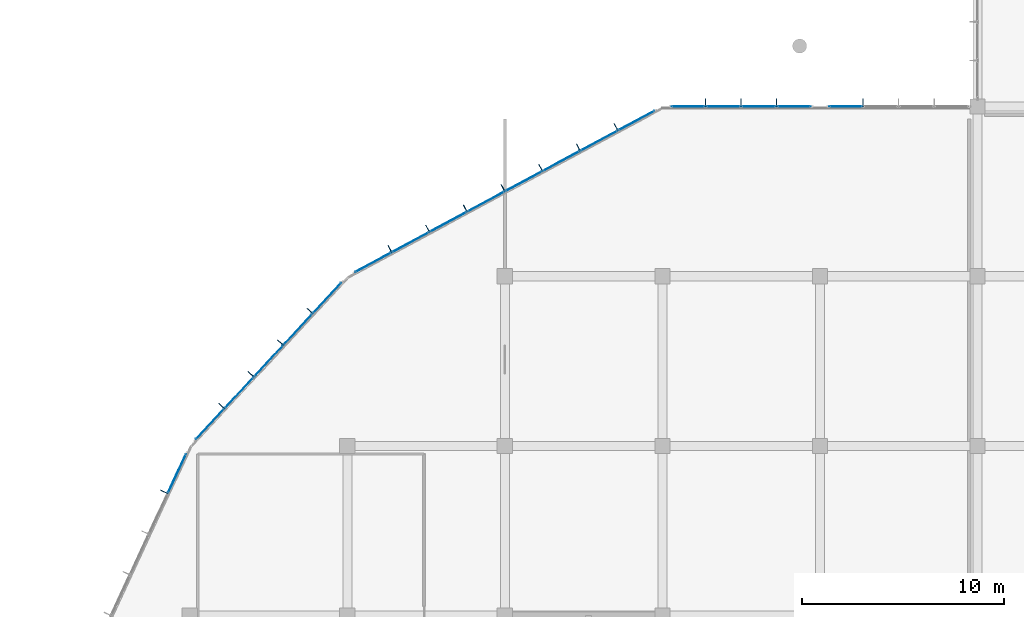
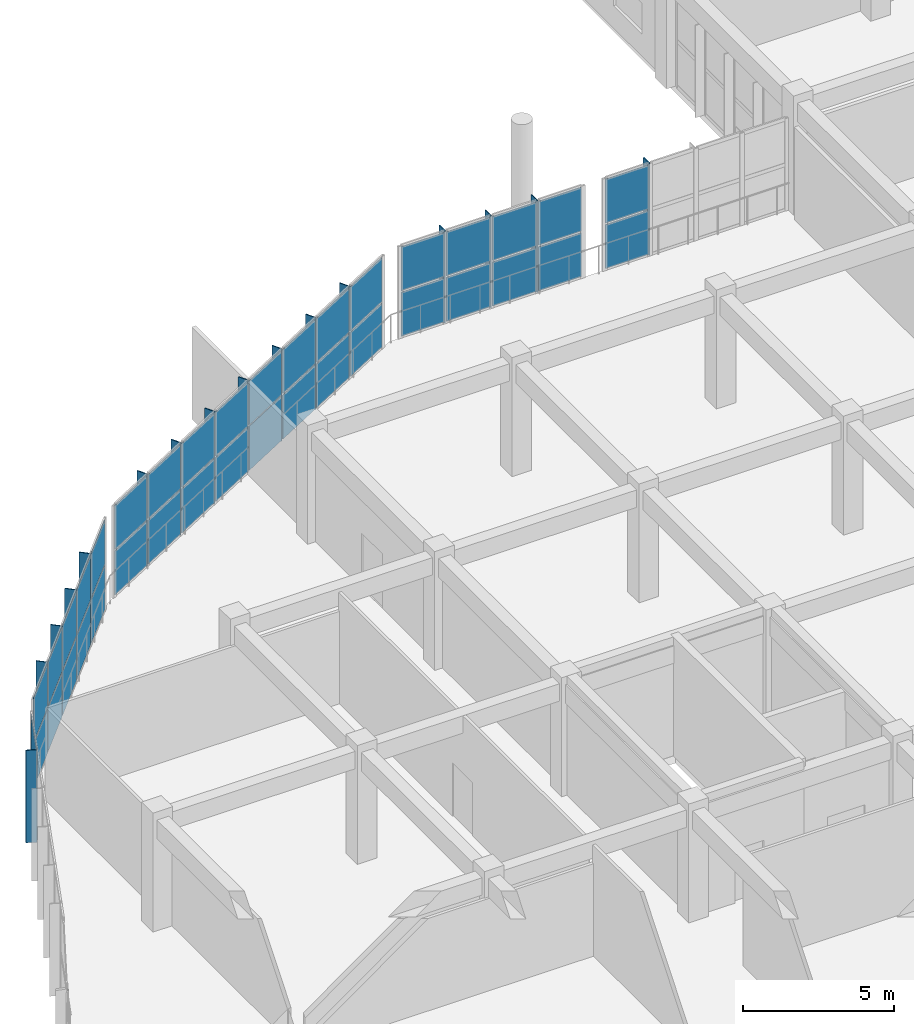
# One storey, part 133 of 167: 54 plates, 5 elements without a shape of their own.
"""IFC4 building model written with IfcOpenShell, lengths in metres."""

from ifc_helpers import new_model, si_unit, direction, frame, origin, origin_2d, place, context, subcontext, project, spatial, polyline, rectangle, outline, extrude, material, layer, layer_set, type_object, element, aggregate, save


model = new_model("IFC4")

# Units and contexts
model_context = context("Model", 3, precision=1e-05, world=origin(), true_north=direction((0.0, 1.0)))
body_context = subcontext(model_context, "Body", "Model", "MODEL_VIEW")
ifc_project = project(units=[si_unit("LENGTHUNIT", "METRE"), si_unit("AREAUNIT", "SQUARE_METRE"), si_unit("VOLUMEUNIT", "CUBIC_METRE"), si_unit("PLANEANGLEUNIT", "RADIAN"), si_unit("MASSUNIT", "GRAM", prefix="KILO")], contexts=[model_context])

# Site, building, storey
site_placement = place(None, origin())
site = spatial("IfcSite", under=ifc_project, at=site_placement, CompositionType="ELEMENT")
building_placement = place(site_placement, origin())
building = spatial("IfcBuilding", under=site, at=building_placement, Name="Zizhar Promenade General Hospital", CompositionType="ELEMENT")
storey_placement = place(building_placement, frame((0.0, 0.0, 9.60009765625)))
storey = spatial("IfcBuildingStorey", under=building, at=storey_placement, Name="L02", CompositionType="ELEMENT", Elevation=9.60009765625)

# Curtain wall, plates
ifc_material_1 = material(Name="Anodised aluminium 6063-T6 and low-E glass", Category="aluminium")
ifc_layer_1 = layer(ifc_material_1, 0.159912109375)
ifc_layer_set_1 = layer_set([ifc_layer_1], Name="Anodised aluminium 6063-T6 and low-E glass")
curtain_wall_type = type_object("IfcCurtainWallType", Name="CW-DT-MOD2", PredefinedType="NOTDEFINED", material=ifc_layer_set_1)
curtain_wall_1_placement = place(storey_placement, origin())
curtain_wall_1 = element("IfcCurtainWall", 1, at=curtain_wall_1_placement, inside=storey, type_object=curtain_wall_type, Name="West Diagnostic Arm Glazed Curtain Wall L02-NW1", PredefinedType="NOTDEFINED")
ifc_material_2 = material(Name="Low-E solar-control glass", Category="glass")
ifc_layer_2 = layer(ifc_material_2, 0.031982421875)
ifc_layer_set_2 = layer_set([ifc_layer_2], Name="Low-E solar-control glass")
plate_type_1 = type_object("IfcPlateType", Name="CWP-GLZ-32", PredefinedType="CURTAIN_PANEL", material=ifc_layer_set_2)
plate_1_placement = place(storey_placement, frame((7.1640625, 65.830322265625, 0.06005859375), z_axis=(0.0, 0.0, 1.0), x_axis=(0.421114945486, 0.907007278189, 0.0)))
plate_1 = element("IfcPlate", 2, at=plate_1_placement, type_object=plate_type_1, Name="CW-08 panel 8.1", PredefinedType="CURTAIN_PANEL", context=body_context, shape_type="SweptSolid", body=[
    extrude(rectangle(XDim=2.100341796875, YDim=0.031982421875, at=origin_2d()), origin(), (0.0, 0.0, 1.0), 1.77490234375),
])
plate_2_placement = place(storey_placement, frame((7.1640625, 65.830322265625, 1.89501953125), z_axis=(0.0, 0.0, 1.0), x_axis=(0.421114945486, 0.907007278189, 0.0)))
plate_2 = element("IfcPlate", 3, at=plate_2_placement, type_object=plate_type_1, Name="CW-08 panel 8.2", PredefinedType="CURTAIN_PANEL", context=body_context, shape_type="SweptSolid", body=[
    extrude(rectangle(XDim=2.100341796875, YDim=0.031982421875, at=origin_2d()), origin(), (0.0, 0.0, 1.0), 1.77490234375),
])
aggregate(curtain_wall_1, [plate_1, plate_2])

curtain_wall_2_placement = place(storey_placement, origin())
curtain_wall_2 = element("IfcCurtainWall", 4, at=curtain_wall_2_placement, inside=storey, type_object=curtain_wall_type, Name="West Diagnostic Arm Glazed Curtain Wall L02-NW2", PredefinedType="NOTDEFINED")
plate_3_placement = place(storey_placement, frame((8.800537109375, 68.27734375, 0.06005859375), z_axis=(0.0, 0.0, 1.0), x_axis=(0.680451816108, 0.732792826081, 0.0)))
plate_3 = element("IfcPlate", 5, at=plate_3_placement, type_object=plate_type_1, Name="CW-08 panel 1.1", PredefinedType="CURTAIN_PANEL", context=body_context, shape_type="SweptSolid", body=[
    extrude(rectangle(XDim=2.0205078125, YDim=0.031982421875, at=origin_2d()), origin(), (0.0, 0.0, 1.0), 1.77490234375),
])
plate_4_placement = place(storey_placement, frame((8.800537109375, 68.27734375, 1.89501953125), z_axis=(0.0, 0.0, 1.0), x_axis=(0.680451816108, 0.732792826081, 0.0)))
plate_4 = element("IfcPlate", 6, at=plate_4_placement, type_object=plate_type_1, Name="CW-08 panel 1.2", PredefinedType="CURTAIN_PANEL", context=body_context, shape_type="SweptSolid", body=[
    extrude(rectangle(XDim=2.0205078125, YDim=0.031982421875, at=origin_2d()), origin(), (0.0, 0.0, 1.0), 1.77490234375),
])
plate_5_placement = place(storey_placement, frame((10.243408203125, 69.831298828125, 0.06005859375), z_axis=(0.0, 0.0, 1.0), x_axis=(0.680451816108, 0.732792826081, 0.0)))
plate_5 = element("IfcPlate", 7, at=plate_5_placement, type_object=plate_type_1, Name="CW-08 panel 2.1", PredefinedType="CURTAIN_PANEL", context=body_context, shape_type="SweptSolid", body=[
    extrude(rectangle(XDim=2.060546875, YDim=0.031982421875, at=origin_2d()), origin(), (0.0, 0.0, 1.0), 1.77490234375),
])
plate_6_placement = place(storey_placement, frame((10.243408203125, 69.831298828125, 1.89501953125), z_axis=(0.0, 0.0, 1.0), x_axis=(0.680451816108, 0.732792826081, 0.0)))
plate_6 = element("IfcPlate", 8, at=plate_6_placement, type_object=plate_type_1, Name="CW-08 panel 2.2", PredefinedType="CURTAIN_PANEL", context=body_context, shape_type="SweptSolid", body=[
    extrude(rectangle(XDim=2.060546875, YDim=0.031982421875, at=origin_2d()), origin(), (0.0, 0.0, 1.0), 1.77490234375),
])
plate_7_placement = place(storey_placement, frame((11.699951171875, 71.39990234375, 0.06005859375), z_axis=(0.0, 0.0, 1.0), x_axis=(0.680451816108, 0.732792826081, 0.0)))
plate_7 = element("IfcPlate", 9, at=plate_7_placement, type_object=plate_type_1, Name="CW-08 panel 3.1", PredefinedType="CURTAIN_PANEL", context=body_context, shape_type="SweptSolid", body=[
    extrude(rectangle(XDim=2.060546875, YDim=0.031982421875, at=origin_2d()), origin(), (0.0, 0.0, 1.0), 1.77490234375),
])
plate_8_placement = place(storey_placement, frame((11.699951171875, 71.39990234375, 1.89501953125), z_axis=(0.0, 0.0, 1.0), x_axis=(0.680451816108, 0.732792826081, 0.0)))
plate_8 = element("IfcPlate", 10, at=plate_8_placement, type_object=plate_type_1, Name="CW-08 panel 3.2", PredefinedType="CURTAIN_PANEL", context=body_context, shape_type="SweptSolid", body=[
    extrude(rectangle(XDim=2.060546875, YDim=0.031982421875, at=origin_2d()), origin(), (0.0, 0.0, 1.0), 1.77490234375),
])
plate_9_placement = place(storey_placement, frame((13.156494140625, 72.968505859375, 0.06005859375), z_axis=(0.0, 0.0, 1.0), x_axis=(0.680451816108, 0.732792826081, 0.0)))
plate_9 = element("IfcPlate", 11, at=plate_9_placement, type_object=plate_type_1, Name="CW-08 panel 4.1", PredefinedType="CURTAIN_PANEL", context=body_context, shape_type="SweptSolid", body=[
    extrude(rectangle(XDim=2.060546875, YDim=0.031982421875, at=origin_2d()), origin(), (0.0, 0.0, 1.0), 1.77490234375),
])
plate_10_placement = place(storey_placement, frame((13.156494140625, 72.968505859375, 1.89501953125), z_axis=(0.0, 0.0, 1.0), x_axis=(0.680451816108, 0.732792826081, 0.0)))
plate_10 = element("IfcPlate", 12, at=plate_10_placement, type_object=plate_type_1, Name="CW-08 panel 4.2", PredefinedType="CURTAIN_PANEL", context=body_context, shape_type="SweptSolid", body=[
    extrude(rectangle(XDim=2.060546875, YDim=0.031982421875, at=origin_2d()), origin(), (0.0, 0.0, 1.0), 1.77490234375),
])
plate_11_placement = place(storey_placement, frame((14.599609375, 74.5224609375, 0.06005859375), z_axis=(0.0, 0.0, 1.0), x_axis=(0.680451816108, 0.732792826081, 0.0)))
plate_11 = element("IfcPlate", 13, at=plate_11_placement, type_object=plate_type_1, Name="CW-08 panel 5.1", PredefinedType="CURTAIN_PANEL", context=body_context, shape_type="SweptSolid", body=[
    extrude(rectangle(XDim=2.0205078125, YDim=0.031982421875, at=origin_2d()), origin(), (0.0, 0.0, 1.0), 1.77490234375),
])
plate_12_placement = place(storey_placement, frame((14.599609375, 74.5224609375, 1.89501953125), z_axis=(0.0, 0.0, 1.0), x_axis=(0.680451816108, 0.732792826081, 0.0)))
plate_12 = element("IfcPlate", 14, at=plate_12_placement, type_object=plate_type_1, Name="CW-08 panel 5.2", PredefinedType="CURTAIN_PANEL", context=body_context, shape_type="SweptSolid", body=[
    extrude(rectangle(XDim=2.0205078125, YDim=0.031982421875, at=origin_2d()), origin(), (0.0, 0.0, 1.0), 1.77490234375),
])
aggregate(curtain_wall_2, [plate_3, plate_4, plate_5, plate_6, plate_7, plate_8, plate_9, plate_10, plate_11, plate_12])

curtain_wall_3_placement = place(storey_placement, origin())
curtain_wall_3 = element("IfcCurtainWall", 15, at=curtain_wall_3_placement, inside=storey, type_object=curtain_wall_type, Name="West Diagnostic Arm Glazed Curtain Wall L02-NW3", PredefinedType="NOTDEFINED")
plate_13_placement = place(storey_placement, frame((16.885498046875, 76.292236328125, 0.06005859375), z_axis=(0.0, 0.0, 1.0), x_axis=(0.880472614749, 0.474097009774, 0.0)))
plate_13 = element("IfcPlate", 16, at=plate_13_placement, type_object=plate_type_1, Name="CW-08 panel 1.1", PredefinedType="CURTAIN_PANEL", context=body_context, shape_type="SweptSolid", body=[
    extrude(rectangle(XDim=1.999755859375, YDim=0.031982421875, at=origin_2d()), origin(), (0.0, 0.0, 1.0), 1.77490234375),
])
plate_14_placement = place(storey_placement, frame((16.885498046875, 76.292236328125, 1.89501953125), z_axis=(0.0, 0.0, 1.0), x_axis=(0.880472614749, 0.474097009774, 0.0)))
plate_14 = element("IfcPlate", 17, at=plate_14_placement, type_object=plate_type_1, Name="CW-08 panel 1.2", PredefinedType="CURTAIN_PANEL", context=body_context, shape_type="SweptSolid", body=[
    extrude(rectangle(XDim=1.999755859375, YDim=0.031982421875, at=origin_2d()), origin(), (0.0, 0.0, 1.0), 1.77490234375),
])
plate_15_placement = place(storey_placement, frame((18.734130859375, 77.28759765625, 0.06005859375), z_axis=(0.0, 0.0, 1.0), x_axis=(0.880472614749, 0.474097009774, 0.0)))
plate_15 = element("IfcPlate", 18, at=plate_15_placement, type_object=plate_type_1, Name="CW-08 panel 2.1", PredefinedType="CURTAIN_PANEL", context=body_context, shape_type="SweptSolid", body=[
    extrude(rectangle(XDim=2.039794921875, YDim=0.031982421875, at=origin_2d()), origin(), (0.0, 0.0, 1.0), 1.77490234375),
])
plate_16_placement = place(storey_placement, frame((18.734130859375, 77.28759765625, 1.89501953125), z_axis=(0.0, 0.0, 1.0), x_axis=(0.880472614749, 0.474097009774, 0.0)))
plate_16 = element("IfcPlate", 19, at=plate_16_placement, type_object=plate_type_1, Name="CW-08 panel 2.2", PredefinedType="CURTAIN_PANEL", context=body_context, shape_type="SweptSolid", body=[
    extrude(rectangle(XDim=2.039794921875, YDim=0.031982421875, at=origin_2d()), origin(), (0.0, 0.0, 1.0), 1.77490234375),
])
plate_17_placement = place(storey_placement, frame((20.6005859375, 78.29248046875, 0.06005859375), z_axis=(0.0, 0.0, 1.0), x_axis=(0.880472614749, 0.474097009774, 0.0)))
plate_17 = element("IfcPlate", 20, at=plate_17_placement, type_object=plate_type_1, Name="CW-08 panel 3.1", PredefinedType="CURTAIN_PANEL", context=body_context, shape_type="SweptSolid", body=[
    extrude(rectangle(XDim=2.039794921875, YDim=0.031982421875, at=origin_2d()), origin(), (0.0, 0.0, 1.0), 1.77490234375),
])
plate_18_placement = place(storey_placement, frame((20.6005859375, 78.29248046875, 1.89501953125), z_axis=(0.0, 0.0, 1.0), x_axis=(0.880472614749, 0.474097009774, 0.0)))
plate_18 = element("IfcPlate", 21, at=plate_18_placement, type_object=plate_type_1, Name="CW-08 panel 3.2", PredefinedType="CURTAIN_PANEL", context=body_context, shape_type="SweptSolid", body=[
    extrude(rectangle(XDim=2.039794921875, YDim=0.031982421875, at=origin_2d()), origin(), (0.0, 0.0, 1.0), 1.77490234375),
])
plate_19_placement = place(storey_placement, frame((22.466796875, 79.297607421875, 0.06005859375), z_axis=(0.0, 0.0, 1.0), x_axis=(0.880472614749, 0.474097009774, 0.0)))
plate_19 = element("IfcPlate", 22, at=plate_19_placement, type_object=plate_type_1, Name="CW-08 panel 4.1", PredefinedType="CURTAIN_PANEL", context=body_context, shape_type="SweptSolid", body=[
    extrude(rectangle(XDim=2.039794921875, YDim=0.031982421875, at=origin_2d()), origin(), (0.0, 0.0, 1.0), 1.77490234375),
])
plate_20_placement = place(storey_placement, frame((22.466796875, 79.297607421875, 1.89501953125), z_axis=(0.0, 0.0, 1.0), x_axis=(0.880472614749, 0.474097009774, 0.0)))
plate_20 = element("IfcPlate", 23, at=plate_20_placement, type_object=plate_type_1, Name="CW-08 panel 4.2", PredefinedType="CURTAIN_PANEL", context=body_context, shape_type="SweptSolid", body=[
    extrude(rectangle(XDim=2.039794921875, YDim=0.031982421875, at=origin_2d()), origin(), (0.0, 0.0, 1.0), 1.77490234375),
])
plate_21_placement = place(storey_placement, frame((24.333251953125, 80.302490234375, 0.06005859375), z_axis=(0.0, 0.0, 1.0), x_axis=(0.880472614749, 0.474097009774, 0.0)))
plate_21 = element("IfcPlate", 24, at=plate_21_placement, type_object=plate_type_1, Name="CW-08 panel 5.1", PredefinedType="CURTAIN_PANEL", context=body_context, shape_type="SweptSolid", body=[
    extrude(rectangle(XDim=2.039794921875, YDim=0.031982421875, at=origin_2d()), origin(), (0.0, 0.0, 1.0), 1.77490234375),
])
plate_22_placement = place(storey_placement, frame((24.333251953125, 80.302490234375, 1.89501953125), z_axis=(0.0, 0.0, 1.0), x_axis=(0.880472614749, 0.474097009774, 0.0)))
plate_22 = element("IfcPlate", 25, at=plate_22_placement, type_object=plate_type_1, Name="CW-08 panel 5.2", PredefinedType="CURTAIN_PANEL", context=body_context, shape_type="SweptSolid", body=[
    extrude(rectangle(XDim=2.039794921875, YDim=0.031982421875, at=origin_2d()), origin(), (0.0, 0.0, 1.0), 1.77490234375),
])
plate_23_placement = place(storey_placement, frame((26.199462890625, 81.307373046875, 0.06005859375), z_axis=(0.0, 0.0, 1.0), x_axis=(0.880472614749, 0.474097009774, 0.0)))
plate_23 = element("IfcPlate", 26, at=plate_23_placement, type_object=plate_type_1, Name="CW-08 panel 6.1", PredefinedType="CURTAIN_PANEL", context=body_context, shape_type="SweptSolid", body=[
    extrude(rectangle(XDim=2.039794921875, YDim=0.031982421875, at=origin_2d()), origin(), (0.0, 0.0, 1.0), 1.77490234375),
])
plate_24_placement = place(storey_placement, frame((26.199462890625, 81.307373046875, 1.89501953125), z_axis=(0.0, 0.0, 1.0), x_axis=(0.880472614749, 0.474097009774, 0.0)))
plate_24 = element("IfcPlate", 27, at=plate_24_placement, type_object=plate_type_1, Name="CW-08 panel 6.2", PredefinedType="CURTAIN_PANEL", context=body_context, shape_type="SweptSolid", body=[
    extrude(rectangle(XDim=2.039794921875, YDim=0.031982421875, at=origin_2d()), origin(), (0.0, 0.0, 1.0), 1.77490234375),
])
plate_25_placement = place(storey_placement, frame((28.06591796875, 82.312255859375, 0.06005859375), z_axis=(0.0, 0.0, 1.0), x_axis=(0.880472614749, 0.474097009774, 0.0)))
plate_25 = element("IfcPlate", 28, at=plate_25_placement, type_object=plate_type_1, Name="CW-08 panel 7.1", PredefinedType="CURTAIN_PANEL", context=body_context, shape_type="SweptSolid", body=[
    extrude(rectangle(XDim=2.039794921875, YDim=0.031982421875, at=origin_2d()), origin(), (0.0, 0.0, 1.0), 1.77490234375),
])
plate_26_placement = place(storey_placement, frame((28.06591796875, 82.312255859375, 1.89501953125), z_axis=(0.0, 0.0, 1.0), x_axis=(0.880472614749, 0.474097009774, 0.0)))
plate_26 = element("IfcPlate", 29, at=plate_26_placement, type_object=plate_type_1, Name="CW-08 panel 7.2", PredefinedType="CURTAIN_PANEL", context=body_context, shape_type="SweptSolid", body=[
    extrude(rectangle(XDim=2.039794921875, YDim=0.031982421875, at=origin_2d()), origin(), (0.0, 0.0, 1.0), 1.77490234375),
])
plate_27_placement = place(storey_placement, frame((29.91455078125, 83.307861328125, 0.06005859375), z_axis=(0.0, 0.0, 1.0), x_axis=(0.880472614749, 0.474097009774, 0.0)))
plate_27 = element("IfcPlate", 30, at=plate_27_placement, type_object=plate_type_1, Name="CW-08 panel 8.1", PredefinedType="CURTAIN_PANEL", context=body_context, shape_type="SweptSolid", body=[
    extrude(rectangle(XDim=1.999755859375, YDim=0.031982421875, at=origin_2d()), origin(), (0.0, 0.0, 1.0), 1.77490234375),
])
plate_28_placement = place(storey_placement, frame((29.91455078125, 83.307861328125, 1.89501953125), z_axis=(0.0, 0.0, 1.0), x_axis=(0.880472614749, 0.474097009774, 0.0)))
plate_28 = element("IfcPlate", 31, at=plate_28_placement, type_object=plate_type_1, Name="CW-08 panel 8.2", PredefinedType="CURTAIN_PANEL", context=body_context, shape_type="SweptSolid", body=[
    extrude(rectangle(XDim=1.999755859375, YDim=0.031982421875, at=origin_2d()), origin(), (0.0, 0.0, 1.0), 1.77490234375),
])
aggregate(curtain_wall_3, [plate_13, plate_14, plate_15, plate_16, plate_17, plate_18, plate_19, plate_20, plate_21, plate_22, plate_23, plate_24, plate_25, plate_26, plate_27, plate_28])

curtain_wall_4_placement = place(storey_placement, origin())
curtain_wall_4 = element("IfcCurtainWall", 32, at=curtain_wall_4_placement, inside=storey, type_object=curtain_wall_type, Name="West Diagnostic Arm Glazed Curtain Wall L02-N1", PredefinedType="NOTDEFINED")
plate_29_placement = place(storey_placement, frame((32.47998046875, 84.0, 0.06005859375), z_axis=(0.0, 0.0, 1.0), x_axis=(1.0, 0.0, 0.0)))
plate_29 = element("IfcPlate", 33, at=plate_29_placement, type_object=plate_type_1, Name="CW-08 panel 1.1", PredefinedType="CURTAIN_PANEL", context=body_context, shape_type="SweptSolid", body=[
    extrude(rectangle(XDim=1.639892578125, YDim=0.031982421875, at=origin_2d()), origin(), (0.0, 0.0, 1.0), 1.77490234375),
])
plate_30_placement = place(storey_placement, frame((32.47998046875, 84.0, 1.89501953125), z_axis=(0.0, 0.0, 1.0), x_axis=(1.0, 0.0, 0.0)))
plate_30 = element("IfcPlate", 34, at=plate_30_placement, type_object=plate_type_1, Name="CW-08 panel 1.2", PredefinedType="CURTAIN_PANEL", context=body_context, shape_type="SweptSolid", body=[
    extrude(rectangle(XDim=1.639892578125, YDim=0.031982421875, at=origin_2d()), origin(), (0.0, 0.0, 1.0), 1.77490234375),
])
plate_31_placement = place(storey_placement, frame((34.219970703125, 84.0, 0.06005859375), z_axis=(0.0, 0.0, 1.0), x_axis=(1.0, 0.0, 0.0)))
plate_31 = element("IfcPlate", 35, at=plate_31_placement, type_object=plate_type_1, Name="CW-08 panel 2.1", PredefinedType="CURTAIN_PANEL", context=body_context, shape_type="SweptSolid", body=[
    extrude(rectangle(XDim=1.679931640625, YDim=0.031982421875, at=origin_2d()), origin(), (0.0, 0.0, 1.0), 1.77490234375),
])
plate_32_placement = place(storey_placement, frame((34.219970703125, 84.0, 1.89501953125), z_axis=(0.0, 0.0, 1.0), x_axis=(1.0, 0.0, 0.0)))
plate_32 = element("IfcPlate", 36, at=plate_32_placement, type_object=plate_type_1, Name="CW-08 panel 2.2", PredefinedType="CURTAIN_PANEL", context=body_context, shape_type="SweptSolid", body=[
    extrude(rectangle(XDim=1.679931640625, YDim=0.031982421875, at=origin_2d()), origin(), (0.0, 0.0, 1.0), 1.77490234375),
])
plate_33_placement = place(storey_placement, frame((35.97998046875, 84.0, 0.06005859375), z_axis=(0.0, 0.0, 1.0), x_axis=(1.0, 0.0, 0.0)))
plate_33 = element("IfcPlate", 37, at=plate_33_placement, type_object=plate_type_1, Name="CW-08 panel 3.1", PredefinedType="CURTAIN_PANEL", context=body_context, shape_type="SweptSolid", body=[
    extrude(rectangle(XDim=1.679931640625, YDim=0.031982421875, at=origin_2d()), origin(), (0.0, 0.0, 1.0), 1.77490234375),
])
plate_34_placement = place(storey_placement, frame((35.97998046875, 84.0, 1.89501953125), z_axis=(0.0, 0.0, 1.0), x_axis=(1.0, 0.0, 0.0)))
plate_34 = element("IfcPlate", 38, at=plate_34_placement, type_object=plate_type_1, Name="CW-08 panel 3.2", PredefinedType="CURTAIN_PANEL", context=body_context, shape_type="SweptSolid", body=[
    extrude(rectangle(XDim=1.679931640625, YDim=0.031982421875, at=origin_2d()), origin(), (0.0, 0.0, 1.0), 1.77490234375),
])
plate_35_placement = place(storey_placement, frame((37.719970703125, 84.0, 0.06005859375), z_axis=(0.0, 0.0, 1.0), x_axis=(1.0, 0.0, 0.0)))
plate_35 = element("IfcPlate", 39, at=plate_35_placement, type_object=plate_type_1, Name="CW-08 panel 4.1", PredefinedType="CURTAIN_PANEL", context=body_context, shape_type="SweptSolid", body=[
    extrude(rectangle(XDim=1.639892578125, YDim=0.031982421875, at=origin_2d()), origin(), (0.0, 0.0, 1.0), 1.77490234375),
])
plate_36_placement = place(storey_placement, frame((37.719970703125, 84.0, 1.89501953125), z_axis=(0.0, 0.0, 1.0), x_axis=(1.0, 0.0, 0.0)))
plate_36 = element("IfcPlate", 40, at=plate_36_placement, type_object=plate_type_1, Name="CW-08 panel 4.2", PredefinedType="CURTAIN_PANEL", context=body_context, shape_type="SweptSolid", body=[
    extrude(rectangle(XDim=1.639892578125, YDim=0.031982421875, at=origin_2d()), origin(), (0.0, 0.0, 1.0), 1.77490234375),
])
aggregate(curtain_wall_4, [plate_29, plate_30, plate_31, plate_32, plate_33, plate_34, plate_35, plate_36])

curtain_wall_5_placement = place(storey_placement, origin())
curtain_wall_5 = element("IfcCurtainWall", 41, at=curtain_wall_5_placement, inside=storey, type_object=curtain_wall_type, Name="West Diagnostic Arm Glazed Curtain Wall L02-N2", PredefinedType="NOTDEFINED")
plate_37_placement = place(storey_placement, frame((40.280029296875, 84.0, 0.06005859375), z_axis=(0.0, 0.0, 1.0), x_axis=(1.0, 0.0, 0.0)))
plate_37 = element("IfcPlate", 42, at=plate_37_placement, type_object=plate_type_1, Name="CW-08 panel 1.1", PredefinedType="CURTAIN_PANEL", context=body_context, shape_type="SweptSolid", body=[
    extrude(rectangle(XDim=1.639892578125, YDim=0.031982421875, at=origin_2d()), origin(), (0.0, 0.0, 1.0), 1.77490234375),
])
plate_38_placement = place(storey_placement, frame((40.280029296875, 84.0, 1.89501953125), z_axis=(0.0, 0.0, 1.0), x_axis=(1.0, 0.0, 0.0)))
plate_38 = element("IfcPlate", 43, at=plate_38_placement, type_object=plate_type_1, Name="CW-08 panel 1.2", PredefinedType="CURTAIN_PANEL", context=body_context, shape_type="SweptSolid", body=[
    extrude(rectangle(XDim=1.639892578125, YDim=0.031982421875, at=origin_2d()), origin(), (0.0, 0.0, 1.0), 1.77490234375),
])
aggregate(curtain_wall_5, [plate_37, plate_38])

# Plates
ifc_material_3 = material(Name="Anodised aluminium 6063-T6", Category="aluminium")
ifc_layer_3 = layer(ifc_material_3, 0.035888671875)
ifc_layer_set_3 = layer_set([ifc_layer_3], Name="Anodised aluminium 6063-T6")
plate_type_2 = type_object("IfcPlateType", Name="FIN-ALU-380", PredefinedType="USERDEFINED", material=ifc_layer_set_3)
plate_39_placement = place(storey_placement, origin())
element("IfcPlate", 44, at=plate_39_placement, inside=storey, type_object=plate_type_2, Name="West Diagnostic Arm Glazed Curtain Wall L02-NW1 Solar Fin 7", ObjectType="SOLAR_SHADE", PredefinedType="USERDEFINED", context=body_context, shape_type="SweptSolid", body=[
    extrude(outline(polyline([(6.697509765625, 64.8251953125), (6.712646484375, 64.85791015625), (6.367919921875, 65.017822265625), (6.352783203125, 64.985107421875), (6.697509765625, 64.8251953125)])), origin(), (0.0, 0.0, 1.0), 3.72998046875),
])
plate_40_placement = place(storey_placement, origin())
element("IfcPlate", 45, at=plate_40_placement, inside=storey, type_object=plate_type_2, Name="West Diagnostic Arm Glazed Curtain Wall L02-NW2 Solar Fin 1", ObjectType="SOLAR_SHADE", PredefinedType="USERDEFINED", context=body_context, shape_type="SweptSolid", body=[
    extrude(outline(polyline([(9.5029296875, 69.033935546875), (9.52734375, 69.060302734375), (9.248779296875, 69.31884765625), (9.224609375, 69.29248046875), (9.5029296875, 69.033935546875)])), origin(), (0.0, 0.0, 1.0), 3.72998046875),
])
plate_41_placement = place(storey_placement, origin())
element("IfcPlate", 46, at=plate_41_placement, inside=storey, type_object=plate_type_2, Name="West Diagnostic Arm Glazed Curtain Wall L02-NW2 Solar Fin 2", ObjectType="SOLAR_SHADE", PredefinedType="USERDEFINED", context=body_context, shape_type="SweptSolid", body=[
    extrude(outline(polyline([(10.95947265625, 70.6025390625), (10.98388671875, 70.62890625), (10.70556640625, 70.887451171875), (10.680908203125, 70.861083984375), (10.95947265625, 70.6025390625)])), origin(), (0.0, 0.0, 1.0), 3.72998046875),
])
plate_42_placement = place(storey_placement, origin())
element("IfcPlate", 47, at=plate_42_placement, inside=storey, type_object=plate_type_2, Name="West Diagnostic Arm Glazed Curtain Wall L02-NW2 Solar Fin 3", ObjectType="SOLAR_SHADE", PredefinedType="USERDEFINED", context=body_context, shape_type="SweptSolid", body=[
    extrude(outline(polyline([(12.416015625, 72.171142578125), (12.4404296875, 72.197509765625), (12.162109375, 72.4560546875), (12.1376953125, 72.4296875), (12.416015625, 72.171142578125)])), origin(), (0.0, 0.0, 1.0), 3.72998046875),
])
plate_43_placement = place(storey_placement, origin())
element("IfcPlate", 48, at=plate_43_placement, inside=storey, type_object=plate_type_2, Name="West Diagnostic Arm Glazed Curtain Wall L02-NW2 Solar Fin 4", ObjectType="SOLAR_SHADE", PredefinedType="USERDEFINED", context=body_context, shape_type="SweptSolid", body=[
    extrude(outline(polyline([(13.87255859375, 73.73974609375), (13.897216796875, 73.76611328125), (13.61865234375, 74.024658203125), (13.593994140625, 73.998291015625), (13.87255859375, 73.73974609375)])), origin(), (0.0, 0.0, 1.0), 3.72998046875),
])
plate_44_placement = place(storey_placement, origin())
element("IfcPlate", 49, at=plate_44_placement, inside=storey, type_object=plate_type_2, Name="West Diagnostic Arm Glazed Curtain Wall L02-NW3 Solar Fin 1", ObjectType="SOLAR_SHADE", PredefinedType="USERDEFINED", context=body_context, shape_type="SweptSolid", body=[
    extrude(outline(polyline([(17.78515625, 76.776611328125), (17.81689453125, 76.793701171875), (17.63671875, 77.12841796875), (17.60498046875, 77.111083984375), (17.78515625, 76.776611328125)])), origin(), (0.0, 0.0, 1.0), 3.72998046875),
])
plate_45_placement = place(storey_placement, origin())
element("IfcPlate", 50, at=plate_45_placement, inside=storey, type_object=plate_type_2, Name="West Diagnostic Arm Glazed Curtain Wall L02-NW3 Solar Fin 2", ObjectType="SOLAR_SHADE", PredefinedType="USERDEFINED", context=body_context, shape_type="SweptSolid", body=[
    extrude(outline(polyline([(19.651611328125, 77.781494140625), (19.68310546875, 77.798583984375), (19.5029296875, 78.13330078125), (19.47119140625, 78.1162109375), (19.651611328125, 77.781494140625)])), origin(), (0.0, 0.0, 1.0), 3.72998046875),
])
plate_46_placement = place(storey_placement, origin())
element("IfcPlate", 51, at=plate_46_placement, inside=storey, type_object=plate_type_2, Name="West Diagnostic Arm Glazed Curtain Wall L02-NW3 Solar Fin 3", ObjectType="SOLAR_SHADE", PredefinedType="USERDEFINED", context=body_context, shape_type="SweptSolid", body=[
    extrude(outline(polyline([(21.517822265625, 78.78662109375), (21.549560546875, 78.8037109375), (21.369384765625, 79.13818359375), (21.337646484375, 79.12109375), (21.517822265625, 78.78662109375)])), origin(), (0.0, 0.0, 1.0), 3.72998046875),
])
plate_47_placement = place(storey_placement, origin())
element("IfcPlate", 52, at=plate_47_placement, inside=storey, type_object=plate_type_2, Name="West Diagnostic Arm Glazed Curtain Wall L02-NW3 Solar Fin 4", ObjectType="SOLAR_SHADE", PredefinedType="USERDEFINED", context=body_context, shape_type="SweptSolid", body=[
    extrude(outline(polyline([(23.38427734375, 79.79150390625), (23.415771484375, 79.80859375), (23.235595703125, 80.14306640625), (23.2041015625, 80.1259765625), (23.38427734375, 79.79150390625)])), origin(), (0.0, 0.0, 1.0), 3.72998046875),
])
plate_48_placement = place(storey_placement, origin())
element("IfcPlate", 53, at=plate_48_placement, inside=storey, type_object=plate_type_2, Name="West Diagnostic Arm Glazed Curtain Wall L02-NW3 Solar Fin 5", ObjectType="SOLAR_SHADE", PredefinedType="USERDEFINED", context=body_context, shape_type="SweptSolid", body=[
    extrude(outline(polyline([(25.25048828125, 80.79638671875), (25.2822265625, 80.8134765625), (25.10205078125, 81.148193359375), (25.0703125, 81.131103515625), (25.25048828125, 80.79638671875)])), origin(), (0.0, 0.0, 1.0), 3.72998046875),
])
plate_49_placement = place(storey_placement, origin())
element("IfcPlate", 54, at=plate_49_placement, inside=storey, type_object=plate_type_2, Name="West Diagnostic Arm Glazed Curtain Wall L02-NW3 Solar Fin 6", ObjectType="SOLAR_SHADE", PredefinedType="USERDEFINED", context=body_context, shape_type="SweptSolid", body=[
    extrude(outline(polyline([(27.116943359375, 81.801513671875), (27.1484375, 81.818359375), (26.968505859375, 82.153076171875), (26.936767578125, 82.135986328125), (27.116943359375, 81.801513671875)])), origin(), (0.0, 0.0, 1.0), 3.72998046875),
])
plate_50_placement = place(storey_placement, origin())
element("IfcPlate", 55, at=plate_50_placement, inside=storey, type_object=plate_type_2, Name="West Diagnostic Arm Glazed Curtain Wall L02-NW3 Solar Fin 7", ObjectType="SOLAR_SHADE", PredefinedType="USERDEFINED", context=body_context, shape_type="SweptSolid", body=[
    extrude(outline(polyline([(28.983154296875, 82.806396484375), (29.014892578125, 82.823486328125), (28.834716796875, 83.157958984375), (28.802978515625, 83.140869140625), (28.983154296875, 82.806396484375)])), origin(), (0.0, 0.0, 1.0), 3.72998046875),
])
plate_51_placement = place(storey_placement, origin())
element("IfcPlate", 56, at=plate_51_placement, inside=storey, type_object=plate_type_2, Name="West Diagnostic Arm Glazed Curtain Wall L02-N1 Solar Fin 1", ObjectType="SOLAR_SHADE", PredefinedType="USERDEFINED", context=body_context, shape_type="SweptSolid", body=[
    extrude(outline(polyline([(33.322021484375, 84.0), (33.35791015625, 84.0), (33.35791015625, 84.3798828125), (33.322021484375, 84.3798828125), (33.322021484375, 84.0)])), origin(), (0.0, 0.0, 1.0), 3.72998046875),
])
plate_52_placement = place(storey_placement, origin())
element("IfcPlate", 57, at=plate_52_placement, inside=storey, type_object=plate_type_2, Name="West Diagnostic Arm Glazed Curtain Wall L02-N1 Solar Fin 2", ObjectType="SOLAR_SHADE", PredefinedType="USERDEFINED", context=body_context, shape_type="SweptSolid", body=[
    extrude(outline(polyline([(35.08203125, 84.0), (35.117919921875, 84.0), (35.117919921875, 84.3798828125), (35.08203125, 84.3798828125), (35.08203125, 84.0)])), origin(), (0.0, 0.0, 1.0), 3.72998046875),
])
plate_53_placement = place(storey_placement, origin())
element("IfcPlate", 58, at=plate_53_placement, inside=storey, type_object=plate_type_2, Name="West Diagnostic Arm Glazed Curtain Wall L02-N1 Solar Fin 3", ObjectType="SOLAR_SHADE", PredefinedType="USERDEFINED", context=body_context, shape_type="SweptSolid", body=[
    extrude(outline(polyline([(36.842041015625, 84.0), (36.8779296875, 84.0), (36.8779296875, 84.3798828125), (36.842041015625, 84.3798828125), (36.842041015625, 84.0)])), origin(), (0.0, 0.0, 1.0), 3.72998046875),
])
plate_54_placement = place(storey_placement, origin())
element("IfcPlate", 59, at=plate_54_placement, inside=storey, type_object=plate_type_2, Name="West Diagnostic Arm Glazed Curtain Wall L02-N2 Solar Fin 1", ObjectType="SOLAR_SHADE", PredefinedType="USERDEFINED", context=body_context, shape_type="SweptSolid", body=[
    extrude(outline(polyline([(41.1220703125, 84.0), (41.157958984375, 84.0), (41.157958984375, 84.3798828125), (41.1220703125, 84.3798828125), (41.1220703125, 84.0)])), origin(), (0.0, 0.0, 1.0), 3.72998046875),
])

save(model, "model.ifc")
